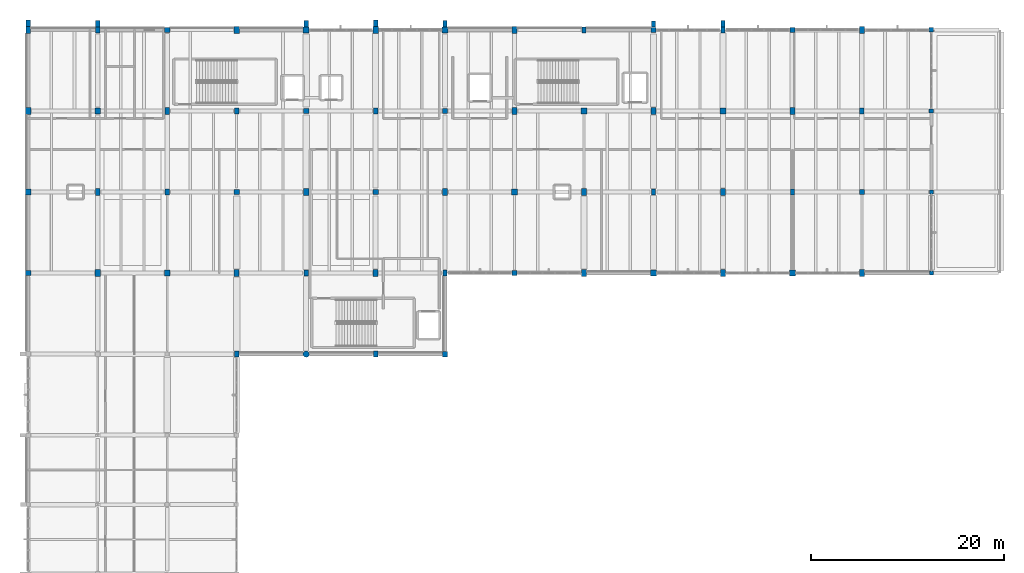
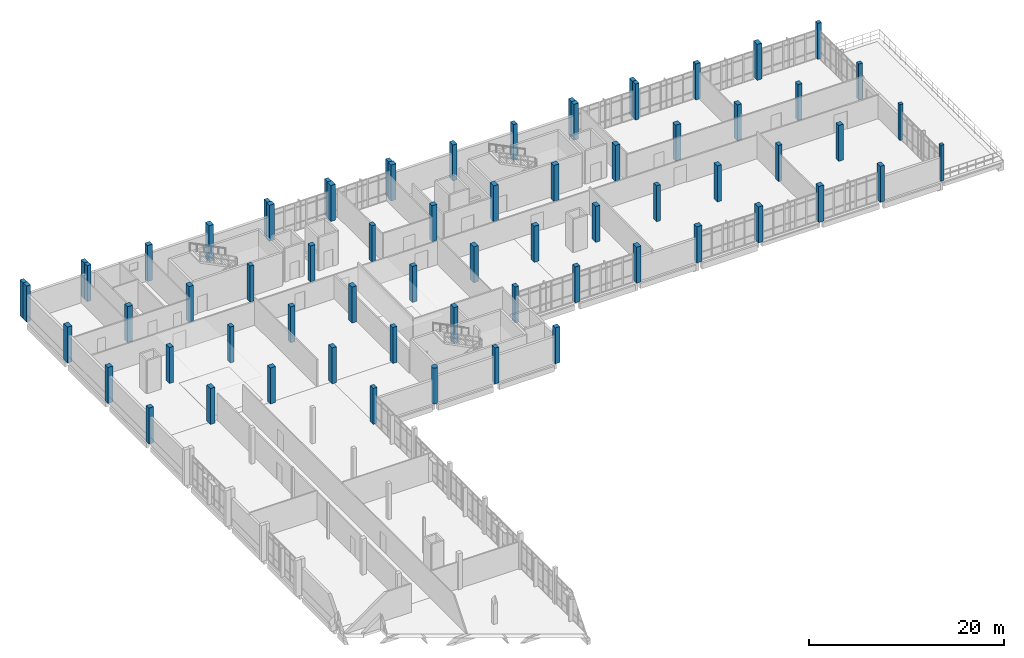
# One storey, part 5 of 62: 67 columns.
"""IFC4 building model written with IfcOpenShell, lengths in metres."""

from ifc_helpers import new_model, si_unit, direction, frame, origin, origin_2d, place, context, subcontext, project, spatial, rectangle, circle, extrude, material, material_profile, profile_set, type_object, element, save


model = new_model("IFC4")

# Units and contexts
model_context = context("Model", 3, precision=1e-05, world=origin(), true_north=direction((0.0, 1.0)))
body_context = subcontext(model_context, "Body", "Model", "MODEL_VIEW")
ifc_project = project(units=[si_unit("LENGTHUNIT", "METRE"), si_unit("AREAUNIT", "SQUARE_METRE"), si_unit("VOLUMEUNIT", "CUBIC_METRE"), si_unit("PLANEANGLEUNIT", "RADIAN"), si_unit("MASSUNIT", "GRAM", prefix="KILO")], contexts=[model_context])

# Site, building, storey
site_placement = place(None, origin())
site = spatial("IfcSite", under=ifc_project, at=site_placement, CompositionType="ELEMENT")
building_placement = place(site_placement, origin())
building = spatial("IfcBuilding", under=site, at=building_placement, Name="Kalluvel Institute of Natural Sciences", CompositionType="ELEMENT")
storey_placement = place(building_placement, frame((0.0, 0.0, 27.89990234375)))
storey = spatial("IfcBuildingStorey", under=building, at=storey_placement, Name="L06", CompositionType="ELEMENT", Elevation=27.89990234375)

# Columns
ifc_material_1 = material(Name="Concrete M40", Category="concrete")
ifc_material_profile_1 = material_profile(ifc_material_1, rectangle(XDim=0.39990234375, YDim=0.39990234375, at=origin_2d()), Name="RC 400x400")
ifc_profile_set_1 = profile_set([ifc_material_profile_1], Name="Concrete M40")
column_type_1 = type_object("IfcColumnType", Name="COL-RC400", PredefinedType="COLUMN", material=ifc_profile_set_1)
for number, where, z_axis, x_axis, name in (
    (1, (107.60009765625, 102.800048828125, 0.0), (0.0, 0.0, 1.0), (1.0, 0.0, 0.0), "L06 structural column COL-L06-X1076-Y1028"),
    (2, (107.60009765625, 111.199951171875, 0.0), (0.0, 0.0, 1.0), (1.0, 0.0, 0.0), "L06 structural column COL-L06-X1076-Y1112"),
):
    element("IfcColumn", number, at=place(storey_placement, frame(where, z_axis=z_axis, x_axis=x_axis)), inside=storey, type_object=column_type_1, Name=name, PredefinedType="COLUMN", context=body_context, shape_type="SweptSolid", body=[
        extrude(rectangle(XDim=0.39990234375, YDim=0.39990234375, at=origin_2d()), origin(), (0.0, 0.0, 1.0), 4.5),
    ])
ifc_material_profile_2 = material_profile(ifc_material_1, rectangle(XDim=0.449951171875, YDim=0.449951171875, at=origin_2d()), Name="RC 450x450")
ifc_profile_set_2 = profile_set([ifc_material_profile_2], Name="Concrete M40")
column_type_2 = type_object("IfcColumnType", Name="COL-RC450", PredefinedType="COLUMN", material=ifc_profile_set_2)
for number, where, z_axis, x_axis, name in (
    (3, (107.60009765625, 119.60009765625, 0.0), (0.0, 0.0, 1.0), (1.0, 0.0, 0.0), "L06 structural column COL-L06-X1076-Y1196"),
    (4, (107.60009765625, 128.0, 0.0), (0.0, 0.0, 1.0), (1.0, 0.0, 0.0), "L06 structural column COL-L06-X1076-Y1280"),
):
    element("IfcColumn", number, at=place(storey_placement, frame(where, z_axis=z_axis, x_axis=x_axis)), inside=storey, type_object=column_type_2, Name=name, PredefinedType="COLUMN", context=body_context, shape_type="SweptSolid", body=[
        extrude(rectangle(XDim=0.449951171875, YDim=0.449951171875, at=origin_2d()), origin(), (0.0, 0.0, 1.0), 4.5),
    ])
ifc_material_profile_3 = material_profile(ifc_material_1, rectangle(XDim=0.449951171875, YDim=0.60009765625, at=origin_2d()), Name="RC 450x600")
ifc_profile_set_3 = profile_set([ifc_material_profile_3], Name="Concrete M40")
column_type_3 = type_object("IfcColumnType", Name="COL-RC450x600", PredefinedType="COLUMN", material=ifc_profile_set_3)
for number, where, z_axis, x_axis, name in (
    (5, (21.199951171875, 128.0, 0.0), (0.0, 0.0, 1.0), (1.0, 0.0, 0.0), "L06 structural column COL-L06-X212-Y1280"),
    (6, (28.39990234375, 111.199951171875, 0.0), (0.0, 0.0, 1.0), (1.0, 0.0, 0.0), "L06 structural column COL-L06-X284-Y1112"),
    (7, (35.60009765625, 94.39990234375, 0.0), (0.0, 0.0, 1.0), (1.0, 0.0, 0.0), "L06 structural column COL-L06-X356-Y944"),
    (8, (35.60009765625, 119.60009765625, 0.0), (0.0, 0.0, 1.0), (1.0, 0.0, 0.0), "L06 structural column COL-L06-X356-Y1196"),
    (9, (42.800048828125, 102.800048828125, 0.0), (0.0, 0.0, 1.0), (1.0, 0.0, 0.0), "L06 structural column COL-L06-X428-Y1028"),
    (10, (50.0, 94.39990234375, 0.0), (0.0, 0.0, 1.0), (1.0, 0.0, 0.0), "L06 structural column COL-L06-X500-Y944"),
    (11, (50.0, 119.60009765625, 0.0), (0.0, 0.0, 1.0), (1.0, 0.0, 0.0), "L06 structural column COL-L06-X500-Y1196"),
    (12, (57.199951171875, 102.800048828125, 0.0), (0.0, 0.0, 1.0), (1.0, 0.0, 0.0), "L06 structural column COL-L06-X572-Y1028"),
    (13, (71.60009765625, 128.0, 0.0), (0.0, 0.0, 1.0), (1.0, 0.0, 0.0), "L06 structural column COL-L06-X716-Y1280"),
    (14, (78.800048828125, 111.199951171875, 0.0), (0.0, 0.0, 1.0), (1.0, 0.0, 0.0), "L06 structural column COL-L06-X788-Y1112"),
    (15, (86.0, 128.0, 0.0), (0.0, 0.0, 1.0), (1.0, 0.0, 0.0), "L06 structural column COL-L06-X860-Y1280"),
    (16, (93.199951171875, 111.199951171875, 0.0), (0.0, 0.0, 1.0), (1.0, 0.0, 0.0), "L06 structural column COL-L06-X932-Y1112"),
    (17, (100.39990234375, 119.60009765625, 0.0), (0.0, 0.0, 1.0), (1.0, 0.0, 0.0), "L06 structural column COL-L06-X1004-Y1196"),
):
    element("IfcColumn", number, at=place(storey_placement, frame(where, z_axis=z_axis, x_axis=x_axis)), inside=storey, type_object=column_type_3, Name=name, PredefinedType="COLUMN", context=body_context, shape_type="SweptSolid", body=[
        extrude(rectangle(XDim=0.449951171875, YDim=0.60009765625, at=origin_2d()), origin(), (0.0, 0.0, 1.0), 4.5),
    ])
ifc_material_profile_4 = material_profile(ifc_material_1, rectangle(XDim=0.5, YDim=0.699951171875, at=origin_2d()), Name="RC 500x700")
ifc_profile_set_4 = profile_set([ifc_material_profile_4], Name="Concrete M40")
column_type_4 = type_object("IfcColumnType", Name="COL-RC500x700", PredefinedType="COLUMN", material=ifc_profile_set_4)
for number, where, z_axis, x_axis, name in (
    (18, (14.0, 128.0, 0.0), (0.0, 0.0, 1.0), (1.0, 0.0, 0.0), "L06 structural column COL-L06-X140-Y1280"),
    (19, (21.199951171875, 111.199951171875, 0.0), (0.0, 0.0, 1.0), (1.0, 0.0, 0.0), "L06 structural column COL-L06-X212-Y1112"),
    (20, (28.39990234375, 119.60009765625, 0.0), (0.0, 0.0, 1.0), (1.0, 0.0, 0.0), "L06 structural column COL-L06-X284-Y1196"),
    (21, (35.60009765625, 102.800048828125, 0.0), (0.0, 0.0, 1.0), (1.0, 0.0, 0.0), "L06 structural column COL-L06-X356-Y1028"),
    (22, (50.0, 102.800048828125, 0.0), (0.0, 0.0, 1.0), (1.0, 0.0, 0.0), "L06 structural column COL-L06-X500-Y1028"),
    (23, (64.39990234375, 128.0, 0.0), (0.0, 0.0, 1.0), (1.0, 0.0, 0.0), "L06 structural column COL-L06-X644-Y1280"),
    (24, (71.60009765625, 111.199951171875, 0.0), (0.0, 0.0, 1.0), (1.0, 0.0, 0.0), "L06 structural column COL-L06-X716-Y1112"),
    (25, (78.800048828125, 119.60009765625, 0.0), (0.0, 0.0, 1.0), (1.0, 0.0, 0.0), "L06 structural column COL-L06-X788-Y1196"),
    (26, (86.0, 111.199951171875, 0.0), (0.0, 0.0, 1.0), (1.0, 0.0, 0.0), "L06 structural column COL-L06-X860-Y1112"),
    (27, (93.199951171875, 119.60009765625, 0.0), (0.0, 0.0, 1.0), (1.0, 0.0, 0.0), "L06 structural column COL-L06-X932-Y1196"),
    (28, (100.39990234375, 102.800048828125, 0.0), (0.0, 0.0, 1.0), (1.0, 0.0, 0.0), "L06 structural column COL-L06-X1004-Y1028"),
):
    element("IfcColumn", number, at=place(storey_placement, frame(where, z_axis=z_axis, x_axis=x_axis)), inside=storey, type_object=column_type_4, Name=name, PredefinedType="COLUMN", context=body_context, shape_type="SweptSolid", body=[
        extrude(rectangle(XDim=0.5, YDim=0.699951171875, at=origin_2d()), origin(), (0.0, 0.0, 1.0), 4.5),
    ])
ifc_material_profile_5 = material_profile(ifc_material_1, rectangle(XDim=0.550048828125, YDim=0.550048828125, at=origin_2d()), Name="RC 550x550")
ifc_profile_set_5 = profile_set([ifc_material_profile_5], Name="Concrete M40")
column_type_5 = type_object("IfcColumnType", Name="COL-RC550", PredefinedType="COLUMN", material=ifc_profile_set_5)
for number, where, z_axis, x_axis, name in (
    (29, (14.0, 102.800048828125, 0.0), (0.0, 0.0, 1.0), (1.0, 0.0, 0.0), "L06 structural column COL-L06-X140-Y1028"),
    (30, (28.39990234375, 128.0, 0.0), (0.0, 0.0, 1.0), (1.0, 0.0, 0.0), "L06 structural column COL-L06-X284-Y1280"),
    (31, (35.60009765625, 111.199951171875, 0.0), (0.0, 0.0, 1.0), (1.0, 0.0, 0.0), "L06 structural column COL-L06-X356-Y1112"),
    (32, (42.800048828125, 119.60009765625, 0.0), (0.0, 0.0, 1.0), (1.0, 0.0, 0.0), "L06 structural column COL-L06-X428-Y1196"),
    (33, (50.0, 111.199951171875, 0.0), (0.0, 0.0, 1.0), (1.0, 0.0, 0.0), "L06 structural column COL-L06-X500-Y1112"),
    (34, (57.199951171875, 94.39990234375, 0.0), (0.0, 0.0, 1.0), (1.0, 0.0, 0.0), "L06 structural column COL-L06-X572-Y944"),
    (35, (57.199951171875, 119.60009765625, 0.0), (0.0, 0.0, 1.0), (1.0, 0.0, 0.0), "L06 structural column COL-L06-X572-Y1196"),
    (36, (64.39990234375, 102.800048828125, 0.0), (0.0, 0.0, 1.0), (1.0, 0.0, 0.0), "L06 structural column COL-L06-X644-Y1028"),
    (37, (78.800048828125, 128.0, 0.0), (0.0, 0.0, 1.0), (1.0, 0.0, 0.0), "L06 structural column COL-L06-X788-Y1280"),
    (38, (93.199951171875, 128.0, 0.0), (0.0, 0.0, 1.0), (1.0, 0.0, 0.0), "L06 structural column COL-L06-X932-Y1280"),
    (39, (100.39990234375, 111.199951171875, 0.0), (0.0, 0.0, 1.0), (1.0, 0.0, 0.0), "L06 structural column COL-L06-X1004-Y1112"),
):
    element("IfcColumn", number, at=place(storey_placement, frame(where, z_axis=z_axis, x_axis=x_axis)), inside=storey, type_object=column_type_5, Name=name, PredefinedType="COLUMN", context=body_context, shape_type="SweptSolid", body=[
        extrude(rectangle(XDim=0.550048828125, YDim=0.550048828125, at=origin_2d()), origin(), (0.0, 0.0, 1.0), 4.5),
    ])
ifc_material_profile_6 = material_profile(ifc_material_1, rectangle(XDim=0.550048828125, YDim=0.75, at=origin_2d()), Name="RC 550x750")
ifc_profile_set_6 = profile_set([ifc_material_profile_6], Name="Concrete M40")
column_type_6 = type_object("IfcColumnType", Name="COL-RC550x750", PredefinedType="COLUMN", material=ifc_profile_set_6)
for number, where, z_axis, x_axis, name in (
    (40, (14.0, 119.60009765625, 0.0), (0.0, 0.0, 1.0), (1.0, 0.0, 0.0), "L06 structural column COL-L06-X140-Y1196"),
    (41, (21.199951171875, 102.800048828125, 0.0), (0.0, 0.0, 1.0), (1.0, 0.0, 0.0), "L06 structural column COL-L06-X212-Y1028"),
    (42, (35.60009765625, 128.0, 0.0), (0.0, 0.0, 1.0), (1.0, 0.0, 0.0), "L06 structural column COL-L06-X356-Y1280"),
    (43, (42.800048828125, 111.199951171875, 0.0), (0.0, 0.0, 1.0), (1.0, 0.0, 0.0), "L06 structural column COL-L06-X428-Y1112"),
    (44, (50.0, 128.0, 0.0), (0.0, 0.0, 1.0), (1.0, 0.0, 0.0), "L06 structural column COL-L06-X500-Y1280"),
    (45, (57.199951171875, 111.199951171875, 0.0), (0.0, 0.0, 1.0), (1.0, 0.0, 0.0), "L06 structural column COL-L06-X572-Y1112"),
    (46, (64.39990234375, 119.60009765625, 0.0), (0.0, 0.0, 1.0), (1.0, 0.0, 0.0), "L06 structural column COL-L06-X644-Y1196"),
    (47, (71.60009765625, 102.800048828125, 0.0), (0.0, 0.0, 1.0), (1.0, 0.0, 0.0), "L06 structural column COL-L06-X716-Y1028"),
    (48, (86.0, 102.800048828125, 0.0), (0.0, 0.0, 1.0), (1.0, 0.0, 0.0), "L06 structural column COL-L06-X860-Y1028"),
    (49, (100.39990234375, 128.0, 0.0), (0.0, 0.0, 1.0), (1.0, 0.0, 0.0), "L06 structural column COL-L06-X1004-Y1280"),
):
    element("IfcColumn", number, at=place(storey_placement, frame(where, z_axis=z_axis, x_axis=x_axis)), inside=storey, type_object=column_type_6, Name=name, PredefinedType="COLUMN", context=body_context, shape_type="SweptSolid", body=[
        extrude(rectangle(XDim=0.550048828125, YDim=0.75, at=origin_2d()), origin(), (0.0, 0.0, 1.0), 4.5),
    ])
ifc_material_profile_7 = material_profile(ifc_material_1, rectangle(XDim=0.60009765625, YDim=0.60009765625, at=origin_2d()), Name="RC 600x600")
ifc_profile_set_7 = profile_set([ifc_material_profile_7], Name="Concrete M40")
column_type_7 = type_object("IfcColumnType", Name="COL-RC600", PredefinedType="COLUMN", material=ifc_profile_set_7)
for number, where, z_axis, x_axis, name in (
    (50, (14.0, 111.199951171875, 0.0), (0.0, 0.0, 1.0), (1.0, 0.0, 0.0), "L06 structural column COL-L06-X140-Y1112"),
    (51, (21.199951171875, 119.60009765625, 0.0), (0.0, 0.0, 1.0), (1.0, 0.0, 0.0), "L06 structural column COL-L06-X212-Y1196"),
    (52, (28.39990234375, 102.800048828125, 0.0), (0.0, 0.0, 1.0), (1.0, 0.0, 0.0), "L06 structural column COL-L06-X284-Y1028"),
    (53, (42.800048828125, 128.0, 0.0), (0.0, 0.0, 1.0), (1.0, 0.0, 0.0), "L06 structural column COL-L06-X428-Y1280"),
    (54, (57.199951171875, 128.0, 0.0), (0.0, 0.0, 1.0), (1.0, 0.0, 0.0), "L06 structural column COL-L06-X572-Y1280"),
    (55, (64.39990234375, 111.199951171875, 0.0), (0.0, 0.0, 1.0), (1.0, 0.0, 0.0), "L06 structural column COL-L06-X644-Y1112"),
    (56, (71.60009765625, 119.60009765625, 0.0), (0.0, 0.0, 1.0), (1.0, 0.0, 0.0), "L06 structural column COL-L06-X716-Y1196"),
    (57, (78.800048828125, 102.800048828125, 0.0), (0.0, 0.0, 1.0), (1.0, 0.0, 0.0), "L06 structural column COL-L06-X788-Y1028"),
    (58, (86.0, 119.60009765625, 0.0), (0.0, 0.0, 1.0), (1.0, 0.0, 0.0), "L06 structural column COL-L06-X860-Y1196"),
    (59, (93.199951171875, 102.800048828125, 0.0), (0.0, 0.0, 1.0), (1.0, 0.0, 0.0), "L06 structural column COL-L06-X932-Y1028"),
):
    element("IfcColumn", number, at=place(storey_placement, frame(where, z_axis=z_axis, x_axis=x_axis)), inside=storey, type_object=column_type_7, Name=name, PredefinedType="COLUMN", context=body_context, shape_type="SweptSolid", body=[
        extrude(rectangle(XDim=0.60009765625, YDim=0.60009765625, at=origin_2d()), origin(), (0.0, 0.0, 1.0), 4.5),
    ])
ifc_material_profile_8 = material_profile(ifc_material_1, circle(Radius=0.324951171875, at=origin_2d()), Name="RCCOL D650")
ifc_profile_set_8 = profile_set([ifc_material_profile_8], Name="Concrete M40")
column_type_8 = type_object("IfcColumnType", Name="COL-RCD650", PredefinedType="COLUMN", material=ifc_profile_set_8)
column_placement = place(storey_placement, frame((42.800048828125, 94.39990234375, 0.0), z_axis=(0.0, 0.0, 1.0), x_axis=(1.0, 0.0, 0.0)))
element("IfcColumn", 60, at=column_placement, inside=storey, type_object=column_type_8, Name="L06 structural column COL-L06-X428-Y944", PredefinedType="COLUMN", context=body_context, shape_type="SweptSolid", body=[
    extrude(circle(Radius=0.324951171875, at=origin_2d()), origin(), (0.0, 0.0, 1.0), 4.5),
])
ifc_material_2 = material(Name="Sadarahalli Granite Precast Concrete M45", Category="masonry")
ifc_material_profile_9 = material_profile(ifc_material_2, rectangle(XDim=0.449951171875, YDim=0.64990234375, at=origin_2d()), Name="PIL 450x650")
ifc_profile_set_9 = profile_set([ifc_material_profile_9], Name="Sadarahalli Granite Precast Concrete M45")
column_type_9 = type_object("IfcColumnType", Name="PIL-450x650", PredefinedType="PILASTER", material=ifc_profile_set_9)
for number, where, z_axis, x_axis, name in (
    (61, (14.0, 128.677978515625, 0.0), (0.0, 0.0, 1.0), (1.0, 0.0, 0.0), "L06 Gothic stepped Sadarahalli granite buttress 8"),
    (62, (21.199951171875, 128.6279296875, 0.0), (0.0, 0.0, 1.0), (1.0, 0.0, 0.0), "L06 Gothic stepped Sadarahalli granite buttress 18"),
    (63, (42.800048828125, 128.6279296875, 0.0), (0.0, 0.0, 1.0), (1.0, 0.0, 0.0), "L06 Gothic stepped Sadarahalli granite buttress 28"),
    (64, (50.0, 128.702880859375, 0.0), (0.0, 0.0, 1.0), (1.0, 0.0, 0.0), "L06 Gothic stepped Sadarahalli granite buttress 38"),
    (65, (57.199951171875, 128.6279296875, 0.0), (0.0, 0.0, 1.0), (1.0, 0.0, 0.0), "L06 Gothic stepped Sadarahalli granite buttress 48"),
    (66, (78.800048828125, 128.60302734375, 0.0), (0.0, 0.0, 1.0), (1.0, 0.0, 0.0), "L06 Gothic stepped Sadarahalli granite buttress 58"),
    (67, (86.0, 128.6279296875, 0.0), (0.0, 0.0, 1.0), (1.0, 0.0, 0.0), "L06 Gothic stepped Sadarahalli granite buttress 68"),
):
    element("IfcColumn", number, at=place(storey_placement, frame(where, z_axis=z_axis, x_axis=x_axis)), inside=storey, type_object=column_type_9, Name=name, PredefinedType="PILASTER", context=body_context, shape_type="SweptSolid", body=[
        extrude(rectangle(XDim=0.449951171875, YDim=0.64990234375, at=origin_2d()), origin(), (0.0, 0.0, 1.0), 4.5),
    ])

save(model, "model.ifc")
